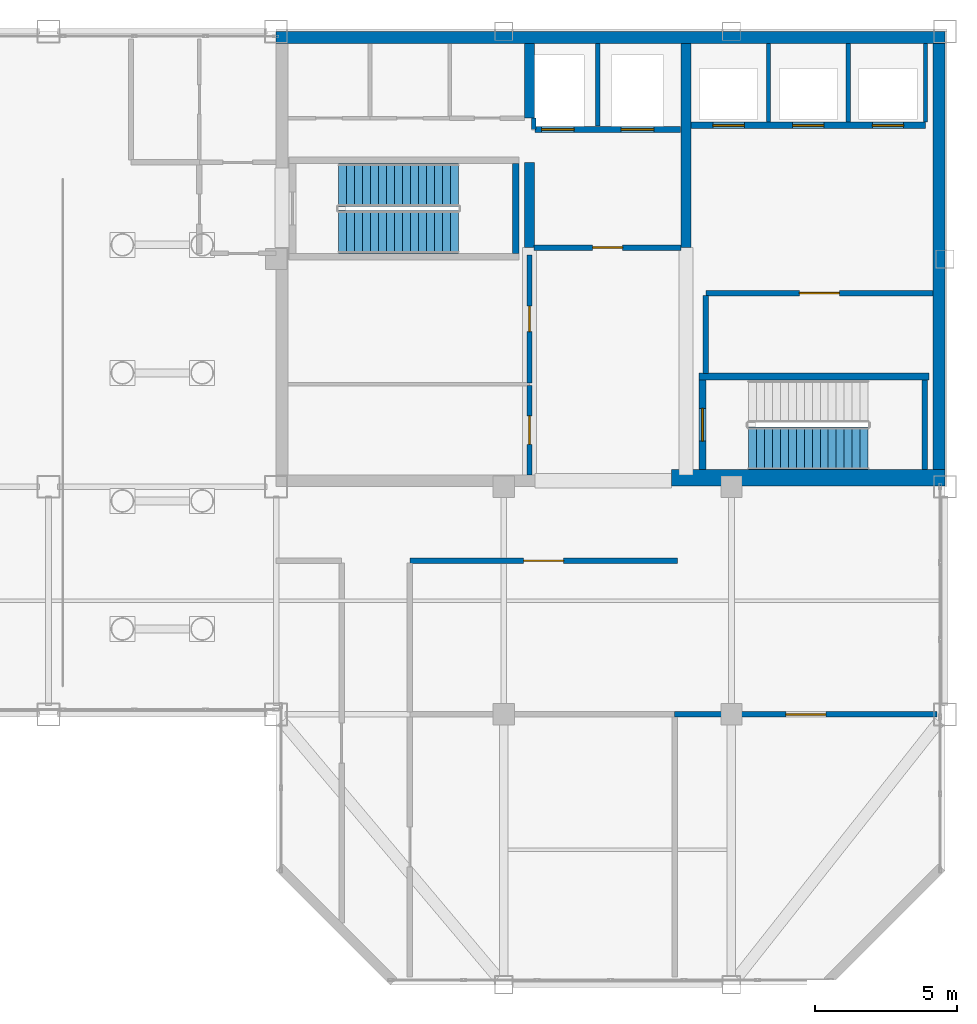
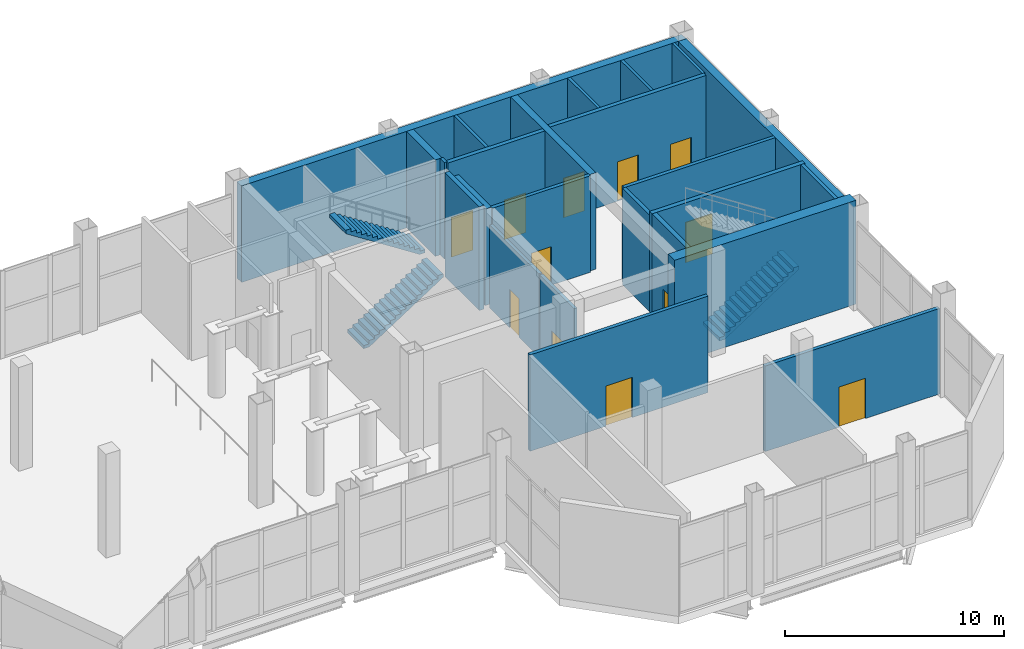
# One storey, part 15 of 18: 24 walls, 12 doors, 3 stair flights, 12 openings, 2 elements without a shape of their own.
"""IFC4 building model written with IfcOpenShell, lengths in metres."""

from ifc_helpers import new_model, si_unit, direction, frame, frame_2d, origin, place, context, subcontext, project, spatial, polyline, rectangle, outline, extrude, material, layer, layer_set, type_object, element, fill, aggregate, save


model = new_model("IFC4")

# Units and contexts
model_context = context("Model", 3, precision=1e-05, world=origin(), true_north=direction((0.0, 1.0)))
body_context = subcontext(model_context, "Body", "Model", "MODEL_VIEW")
ifc_project = project(units=[si_unit("LENGTHUNIT", "METRE"), si_unit("AREAUNIT", "SQUARE_METRE"), si_unit("VOLUMEUNIT", "CUBIC_METRE"), si_unit("PLANEANGLEUNIT", "RADIAN"), si_unit("MASSUNIT", "GRAM", prefix="KILO")], contexts=[model_context])

# Site, building, storey
site_placement = place(None, origin())
site = spatial("IfcSite", under=ifc_project, at=site_placement, CompositionType="ELEMENT")
building_placement = place(site_placement, origin())
building = spatial("IfcBuilding", under=site, at=building_placement, Name="Qianrong Seaharbour Tower", CompositionType="ELEMENT")
storey_placement = place(building_placement, frame((0.0, 0.0, 367.199951171875)))
storey = spatial("IfcBuildingStorey", under=building, at=storey_placement, Name="L89", CompositionType="ELEMENT", Elevation=367.199951171875)

# Walls
ifc_material_1 = material(Name="Concrete C50/60", Category="concrete")
ifc_layer_1 = layer(ifc_material_1, 0.419921875)
ifc_layer_set_1 = layer_set([ifc_layer_1], Name="Concrete C50/60")
wall_type_1 = type_object("IfcWallType", Name="WALL-CORE-420", PredefinedType="SHEAR", material=ifc_layer_set_1)
wall_1_placement = place(storey_placement, frame((40.5, 51.7900390625, 0.0), z_axis=(0.0, 0.0, 1.0), x_axis=(1.0, 0.0, 0.0)))
element("IfcWall", 1, at=wall_1_placement, inside=storey, type_object=wall_type_1, Name="L89 North Core Shear Wall", PredefinedType="SHEAR", context=body_context, shape_type="SweptSolid", body=[
    extrude(rectangle(XDim=23.5, YDim=0.419921875, at=frame_2d((11.75, 0.0))), origin(), (0.0, 0.0, 1.0), 5.39013671875),
])
wall_2_placement = place(storey_placement, frame((63.7900390625, 36.320068359375, 0.0), z_axis=(0.0, 0.0, 1.0), x_axis=(0.0, 1.0, 0.0)))
element("IfcWall", 2, at=wall_2_placement, inside=storey, type_object=wall_type_1, Name="L89 East Core Shear Wall", PredefinedType="SHEAR", context=body_context, shape_type="SweptSolid", body=[
    extrude(rectangle(XDim=15.260009765625, YDim=0.419921875, at=frame_2d((7.6298828125, 0.0))), origin(), (0.0, 0.0, 1.0), 5.39013671875),
])
ifc_material_2 = material(Name="Concrete C70/85", Category="concrete")
ifc_layer_2 = layer(ifc_material_2, 0.580078125)
ifc_layer_set_2 = layer_set([ifc_layer_2], Name="Concrete C70/85")
wall_type_2 = type_object("IfcWallType", Name="WALL-CORE-580", PredefinedType="SHEAR", material=ifc_layer_set_2)
wall_3_placement = place(storey_placement, frame((54.39990234375, 36.320068359375, 0.0), z_axis=(0.0, 0.0, 1.0), x_axis=(1.0, 0.0, 0.0)))
element("IfcWall", 3, at=wall_3_placement, inside=storey, type_object=wall_type_2, Name="L89 South Core Shear Wall S3", PredefinedType="SHEAR", context=body_context, shape_type="SweptSolid", body=[
    extrude(rectangle(XDim=9.60009765625, YDim=0.580078125, at=frame_2d((4.800048828125, 0.0))), origin(), (0.0, 0.0, 1.0), 5.800048828125),
])
ifc_layer_3 = layer(ifc_material_1, 0.35009765625)
ifc_layer_set_3 = layer_set([ifc_layer_3], Name="Concrete C50/60")
wall_type_3 = type_object("IfcWallType", Name="WALL-CORE-INT-350", PredefinedType="SHEAR", material=ifc_layer_set_3)
wall_4_placement = place(storey_placement, frame((49.39990234375, 44.39990234375, 0.0), z_axis=(0.0, 0.0, 1.0), x_axis=(0.0, 1.0, 0.0)))
element("IfcWall", 4, at=wall_4_placement, inside=storey, type_object=wall_type_3, Name="L89 Internal Core Shear Wall IW1N1", PredefinedType="SHEAR", context=body_context, shape_type="SweptSolid", body=[
    extrude(rectangle(XDim=3.0, YDim=0.35009765625, at=frame_2d((1.5, 0.0))), origin(), (0.0, 0.0, 1.0), 5.39013671875),
])
wall_5_placement = place(storey_placement, frame((49.39990234375, 48.949951171875, 0.0), z_axis=(0.0, 0.0, 1.0), x_axis=(0.0, 1.0, 0.0)))
element("IfcWall", 5, at=wall_5_placement, inside=storey, type_object=wall_type_3, Name="L89 Internal Core Shear Wall IW1N2", PredefinedType="SHEAR", context=body_context, shape_type="SweptSolid", body=[
    extrude(rectangle(XDim=2.630126953125, YDim=0.35009765625, at=frame_2d((1.31494140625, 0.0))), origin(), (0.0, 0.0, 1.0), 5.39013671875),
])
wall_6_placement = place(storey_placement, frame((54.89990234375, 44.39990234375, 0.0), z_axis=(0.0, 0.0, 1.0), x_axis=(0.0, 1.0, 0.0)))
element("IfcWall", 6, at=wall_6_placement, inside=storey, type_object=wall_type_3, Name="L89 Internal Core Shear Wall IW2N", PredefinedType="SHEAR", context=body_context, shape_type="SweptSolid", body=[
    extrude(rectangle(XDim=7.18017578125, YDim=0.35009765625, at=frame_2d((3.590087890625, 0.0))), origin(), (0.0, 0.0, 1.0), 5.39013671875),
])

# Wall, opening, door
ifc_material_3 = material(Name="Fire-rated acoustic gypsum board partition")
ifc_layer_4 = layer(ifc_material_3, 0.1650390625)
ifc_layer_set_4 = layer_set([ifc_layer_4], Name="Fire-rated acoustic gypsum board partition")
wall_type_4 = type_object("IfcWallType", Name="WALL-CORR-PART-165", PredefinedType="PARTITIONING", material=ifc_layer_set_4)
wall_7_placement = place(storey_placement, frame((49.39990234375, 36.419921875, 0.0), z_axis=(0.0, 0.0, 1.0), x_axis=(0.0, 1.0, 0.0)))
wall_7 = element("IfcWall", 7, at=wall_7_placement, inside=storey, type_object=wall_type_4, Name="L89 Interior Partition Wall 011", PredefinedType="PARTITIONING", context=body_context, shape_type="SweptSolid", body=[
    extrude(rectangle(XDim=3.133056640625, YDim=0.1650390625, at=frame_2d((1.56640625, 0.0))), origin(), (0.0, 0.0, 1.0), 4.632080078125),
])
opening_1_placement = place(wall_7_placement, frame((1.06640625, 0.0, 0.0)))
opening_1 = element("IfcOpeningElement", 8, at=opening_1_placement, cuts=wall_7, Name="Opening DO-01", PredefinedType="OPENING", context=body_context, shape_type="SweptSolid", body=[
    extrude(rectangle(XDim=1.0, YDim=2.14990234375, at=frame_2d((0.5, 1.074951171875))), frame((0.0, 0.092529296875, 0.0), z_axis=(0.0, -1.0, 0.0), x_axis=(1.0, 0.0, 0.0)), (0.0, 0.0, 1.0), 0.18505859375),
])
ifc_material_4 = material(Name="Acoustic timber and galvanized steel fire door assembly", Category="steel")
door_type_1 = type_object("IfcDoorType", Name="DOOR-OFFICE-1000x2150", OperationType="NOTDEFINED", PredefinedType="DOOR", material=ifc_material_4)
door_1_placement = place(opening_1_placement, origin())
door_1 = element("IfcDoor", 9, at=door_1_placement, inside=storey, type_object=door_type_1, Name="L89 Wellness Room Door", OperationType="SINGLE_SWING_RIGHT", OverallHeight=2.14990234375, OverallWidth=1.0, PredefinedType="DOOR", context=body_context, shape_type="SweptSolid", body=[
    extrude(rectangle(XDim=1.0, YDim=2.14990234375, at=frame_2d((0.5, 1.074951171875))), frame((0.0, 0.02490234375, 0.0), z_axis=(0.0, -1.0, 0.0), x_axis=(1.0, 0.0, 0.0)), (0.0, 0.0, 1.0), 0.050048828125),
])
fill(opening_1, door_1)

wall_8_placement = place(storey_placement, frame((49.39990234375, 39.64697265625, 0.0), z_axis=(0.0, 0.0, 1.0), x_axis=(0.0, 1.0, 0.0)))
wall_8 = element("IfcWall", 10, at=wall_8_placement, inside=storey, type_object=wall_type_4, Name="L89 Interior Partition Wall 012", PredefinedType="PARTITIONING", context=body_context, shape_type="SweptSolid", body=[
    extrude(rectangle(XDim=4.5029296875, YDim=0.1650390625, at=frame_2d((2.25146484375, 0.0))), origin(), (0.0, 0.0, 1.0), 4.632080078125),
])
opening_2_placement = place(wall_8_placement, frame((1.801513671875, 0.0, 0.0)))
opening_2 = element("IfcOpeningElement", 11, at=opening_2_placement, cuts=wall_8, Name="Opening DS-01", PredefinedType="OPENING", context=body_context, shape_type="SweptSolid", body=[
    extrude(rectangle(XDim=0.89990234375, YDim=2.14990234375, at=frame_2d((0.449951171875, 1.074951171875))), frame((0.0, 0.092529296875, 0.0), z_axis=(0.0, -1.0, 0.0), x_axis=(1.0, 0.0, 0.0)), (0.0, 0.0, 1.0), 0.18505859375),
])
door_type_2 = type_object("IfcDoorType", Name="DOOR-STORE-900x2150", OperationType="NOTDEFINED", PredefinedType="DOOR", material=ifc_material_4)
door_2_placement = place(opening_2_placement, origin())
door_2 = element("IfcDoor", 12, at=door_2_placement, inside=storey, type_object=door_type_2, Name="L89 Equipment Store Room Door", OperationType="SINGLE_SWING_LEFT", OverallHeight=2.14990234375, OverallWidth=0.89990234375, PredefinedType="DOOR", context=body_context, shape_type="SweptSolid", body=[
    extrude(rectangle(XDim=0.89990234375, YDim=2.14990234375, at=frame_2d((0.449951171875, 1.074951171875))), frame((0.0, 0.02490234375, 0.0), z_axis=(0.0, -1.0, 0.0), x_axis=(1.0, 0.0, 0.0)), (0.0, 0.0, 1.0), 0.050048828125),
])
fill(opening_2, door_2)

ifc_material_5 = material(Name="Double fire-rated gypsum board acoustic partition")
ifc_layer_5 = layer(ifc_material_5, 0.18994140625)
ifc_layer_set_5 = layer_set([ifc_layer_5], Name="Double fire-rated gypsum board acoustic partition")
wall_type_5 = type_object("IfcWallType", Name="WALL-FIRE-PART-190", PredefinedType="PARTITIONING", material=ifc_layer_set_5)
wall_9_placement = place(storey_placement, frame((54.73291015625, 44.39990234375, 0.0), z_axis=(0.0, 0.0, 1.0), x_axis=(-1.0, 0.0, 0.0)))
wall_9 = element("IfcWall", 13, at=wall_9_placement, inside=storey, type_object=wall_type_5, Name="L89 Interior Partition Wall 010", PredefinedType="PARTITIONING", context=body_context, shape_type="SweptSolid", body=[
    extrude(rectangle(XDim=5.166015625, YDim=0.18994140625, at=frame_2d((2.5830078125, 0.0))), origin(), (0.0, 0.0, 1.0), 5.39013671875),
])
opening_3_placement = place(wall_9_placement, frame((2.05810546875, 0.0, 0.0)))
opening_3 = element("IfcOpeningElement", 14, at=opening_3_placement, cuts=wall_9, Name="Opening DC-01", PredefinedType="OPENING", context=body_context, shape_type="SweptSolid", body=[
    extrude(rectangle(XDim=1.050048828125, YDim=2.14990234375, at=frame_2d((0.52490234375, 1.074951171875))), frame((0.0, 0.10498046875, 0.0), z_axis=(0.0, -1.0, 0.0), x_axis=(1.0, 0.0, 0.0)), (0.0, 0.0, 1.0), 0.2099609375),
])
door_type_3 = type_object("IfcDoorType", Name="DOOR-CORR-FD60-1050x2150", OperationType="NOTDEFINED", PredefinedType="DOOR", material=ifc_material_4)
door_3_placement = place(opening_3_placement, origin())
door_3 = element("IfcDoor", 15, at=door_3_placement, inside=storey, type_object=door_type_3, Name="L89 Firefighting Lift Lobby Door", OperationType="SINGLE_SWING_RIGHT", OverallHeight=2.14990234375, OverallWidth=1.050048828125, PredefinedType="DOOR", context=body_context, shape_type="SweptSolid", body=[
    extrude(rectangle(XDim=1.050048828125, YDim=2.14990234375, at=frame_2d((0.52490234375, 1.074951171875))), frame((0.0, 0.02490234375, 0.0), z_axis=(0.0, -1.0, 0.0), x_axis=(1.0, 0.0, 0.0)), (0.0, 0.0, 1.0), 0.050048828125),
])
fill(opening_3, door_3)

# Wall
wall_10_placement = place(storey_placement, frame((55.60009765625, 42.712890625, 0.0), z_axis=(0.0, 0.0, 1.0), x_axis=(0.0, -1.0, 0.0)))
element("IfcWall", 16, at=wall_10_placement, inside=storey, type_object=wall_type_5, Name="L89 Interior Partition Wall 013", PredefinedType="PARTITIONING", context=body_context, shape_type="SweptSolid", body=[
    extrude(rectangle(XDim=2.73095703125, YDim=0.18994140625, at=frame_2d((1.365478515625, 0.0))), origin(), (0.0, 0.0, 1.0), 5.39013671875),
])

# Wall, opening, door
wall_11_placement = place(storey_placement, frame((63.580078125, 42.800048828125, 0.0), z_axis=(0.0, 0.0, 1.0), x_axis=(-1.0, 0.0, 0.0)))
wall_11 = element("IfcWall", 17, at=wall_11_placement, inside=storey, type_object=wall_type_5, Name="L89 Interior Partition Wall 015", PredefinedType="PARTITIONING", context=body_context, shape_type="SweptSolid", body=[
    extrude(rectangle(XDim=7.97998046875, YDim=0.18994140625, at=frame_2d((3.989990234375, 0.0))), origin(), (0.0, 0.0, 1.0), 5.39013671875),
])
opening_4_placement = place(wall_11_placement, frame((3.2900390625, 0.0, 0.0)))
opening_4 = element("IfcOpeningElement", 18, at=opening_4_placement, cuts=wall_11, Name="Opening DP-01", PredefinedType="OPENING", context=body_context, shape_type="SweptSolid", body=[
    extrude(rectangle(XDim=1.39990234375, YDim=2.25, at=frame_2d((0.699951171875, 1.125))), frame((0.0, 0.10498046875, 0.0), z_axis=(0.0, -1.0, 0.0), x_axis=(1.0, 0.0, 0.0)), (0.0, 0.0, 1.0), 0.2099609375),
])
door_type_4 = type_object("IfcDoorType", Name="DOOR-PLANT-PAIR-1400x2250", OperationType="DOUBLE_DOOR_SINGLE_SWING", PredefinedType="DOOR", material=ifc_material_4)
door_4_placement = place(opening_4_placement, origin())
door_4 = element("IfcDoor", 19, at=door_4_placement, inside=storey, type_object=door_type_4, Name="L89 Core Telecom Hub Room Door", OperationType="DOUBLE_DOOR_SINGLE_SWING", OverallHeight=2.25, OverallWidth=1.39990234375, PredefinedType="DOOR", context=body_context, shape_type="SweptSolid", body=[
    extrude(rectangle(XDim=1.39990234375, YDim=2.25, at=frame_2d((0.699951171875, 1.125))), frame((0.0, 0.02490234375, 0.0), z_axis=(0.0, -1.0, 0.0), x_axis=(1.0, 0.0, 0.0)), (0.0, 0.0, 1.0), 0.050048828125),
])
fill(opening_4, door_4)

wall_12_placement = place(storey_placement, frame((54.60009765625, 33.39990234375, 0.0), z_axis=(0.0, 0.0, 1.0), x_axis=(-1.0, 0.0, 0.0)))
wall_12 = element("IfcWall", 20, at=wall_12_placement, inside=storey, type_object=wall_type_5, Name="L89 Interior Partition Wall 018", PredefinedType="PARTITIONING", context=body_context, shape_type="SweptSolid", body=[
    extrude(rectangle(XDim=9.400146484375, YDim=0.18994140625, at=frame_2d((4.7001953125, 0.0))), origin(), (0.0, 0.0, 1.0), 5.39013671875),
])
opening_5_placement = place(wall_12_placement, frame((4.0, 0.0, 0.0)))
opening_5 = element("IfcOpeningElement", 21, at=opening_5_placement, cuts=wall_12, Name="Opening DP-01", PredefinedType="OPENING", context=body_context, shape_type="SweptSolid", body=[
    extrude(rectangle(XDim=1.39990234375, YDim=2.25, at=frame_2d((0.699951171875, 1.125))), frame((0.0, 0.10498046875, 0.0), z_axis=(0.0, -1.0, 0.0), x_axis=(1.0, 0.0, 0.0)), (0.0, 0.0, 1.0), 0.2099609375),
])
door_5_placement = place(opening_5_placement, origin())
door_5 = element("IfcDoor", 22, at=door_5_placement, inside=storey, type_object=door_type_4, Name="L89 Electrical Substation Door", OperationType="DOUBLE_DOOR_SINGLE_SWING", OverallHeight=2.25, OverallWidth=1.39990234375, PredefinedType="DOOR", context=body_context, shape_type="SweptSolid", body=[
    extrude(rectangle(XDim=1.39990234375, YDim=2.25, at=frame_2d((0.699951171875, 1.125))), frame((0.0, 0.02490234375, 0.0), z_axis=(0.0, -1.0, 0.0), x_axis=(1.0, 0.0, 0.0)), (0.0, 0.0, 1.0), 0.050048828125),
])
fill(opening_5, door_5)

wall_13_placement = place(storey_placement, frame((63.72802734375, 28.0, 0.0), z_axis=(0.0, 0.0, 1.0), x_axis=(-1.0, 0.0, 0.0)))
wall_13 = element("IfcWall", 23, at=wall_13_placement, inside=storey, type_object=wall_type_5, Name="L89 Interior Partition Wall 024", PredefinedType="PARTITIONING", context=body_context, shape_type="SweptSolid", body=[
    extrude(rectangle(XDim=9.22802734375, YDim=0.18994140625, at=frame_2d((4.614013671875, 0.0))), origin(), (0.0, 0.0, 1.0), 4.781982421875),
])
opening_6_placement = place(wall_13_placement, frame((3.9140625, 0.0, 0.0)))
opening_6 = element("IfcOpeningElement", 24, at=opening_6_placement, cuts=wall_13, Name="Opening DP-01", PredefinedType="OPENING", context=body_context, shape_type="SweptSolid", body=[
    extrude(rectangle(XDim=1.39990234375, YDim=2.25, at=frame_2d((0.699951171875, 1.125))), frame((0.0, 0.10498046875, 0.0), z_axis=(0.0, -1.0, 0.0), x_axis=(1.0, 0.0, 0.0)), (0.0, 0.0, 1.0), 0.2099609375),
])
door_6_placement = place(opening_6_placement, origin())
door_6 = element("IfcDoor", 25, at=door_6_placement, inside=storey, type_object=door_type_4, Name="L89 Fire Water Tank Room Door", OperationType="DOUBLE_DOOR_SINGLE_SWING", OverallHeight=2.25, OverallWidth=1.39990234375, PredefinedType="DOOR", context=body_context, shape_type="SweptSolid", body=[
    extrude(rectangle(XDim=1.39990234375, YDim=2.25, at=frame_2d((0.699951171875, 1.125))), frame((0.0, 0.02490234375, 0.0), z_axis=(0.0, -1.0, 0.0), x_axis=(1.0, 0.0, 0.0)), (0.0, 0.0, 1.0), 0.050048828125),
])
fill(opening_6, door_6)

# Walls
ifc_material_6 = material(Name="Fire-rated gypsum board on steel studs", Category="steel")
ifc_layer_6 = layer(ifc_material_6, 0.14990234375)
ifc_layer_set_6 = layer_set([ifc_layer_6], Name="Fire-rated gypsum board on steel studs")
wall_type_6 = type_object("IfcWallType", Name="WALL-SHAFT-DIV-150", PredefinedType="PARTITIONING", material=ifc_layer_set_6)
wall_14_placement = place(storey_placement, frame((51.800048828125, 48.669921875, 0.0), z_axis=(0.0, 0.0, 1.0), x_axis=(0.0, 1.0, 0.0)))
element("IfcWall", 26, at=wall_14_placement, inside=storey, type_object=wall_type_6, Name="L89 Firefighting Lift Shaft Divider Wall", PredefinedType="PARTITIONING", context=body_context, shape_type="SweptSolid", body=[
    extrude(rectangle(XDim=2.91015625, YDim=0.14990234375, at=frame_2d((1.455078125, 0.0))), origin(), (0.0, 0.0, 1.0), 5.39013671875),
])
wall_15_placement = place(storey_placement, frame((49.550048828125, 48.550048828125, 0.0), z_axis=(0.0, 0.0, 1.0), x_axis=(0.0, 1.0, 0.0)))
element("IfcWall", 27, at=wall_15_placement, inside=storey, type_object=wall_type_6, Name="L89 Firefighting Lift Shaft West Return Wall", PredefinedType="PARTITIONING", context=body_context, shape_type="SweptSolid", body=[
    extrude(rectangle(XDim=0.39990234375, YDim=0.14990234375, at=frame_2d((0.199951171875, 0.0))), origin(), (0.0, 0.0, 1.0), 5.39013671875),
])
for number, where, z_axis, x_axis, name in (
    (28, (57.800048828125, 48.81005859375, 0.0), (0.0, 0.0, 1.0), (0.0, 1.0, 0.0), "L89 P4 Lift Hoistway Divider 2"),
    (29, (60.60009765625, 48.81005859375, 0.0), (0.0, 0.0, 1.0), (0.0, 1.0, 0.0), "L89 P4 Lift Hoistway Divider 3"),
    (30, (63.320068359375, 48.81005859375, 0.0), (0.0, 0.0, 1.0), (0.0, 1.0, 0.0), "L89 P4 Lift Hoistway Divider 4"),
):
    element("IfcWall", number, at=place(storey_placement, frame(where, z_axis=z_axis, x_axis=x_axis)), inside=storey, type_object=wall_type_6, Name=name, PredefinedType="PARTITIONING", context=body_context, shape_type="SweptSolid", body=[
        extrude(rectangle(XDim=2.77001953125, YDim=0.14990234375, at=frame_2d((1.385009765625, 0.0))), origin(), (0.0, 0.0, 1.0), 5.39013671875),
    ])

# Wall, openings, doors
ifc_layer_7 = layer(ifc_material_6, 0.219970703125)
ifc_layer_set_7 = layer_set([ifc_layer_7], Name="Fire-rated gypsum board on steel studs")
wall_type_7 = type_object("IfcWallType", Name="WALL-SHAFT-GYP220", PredefinedType="PARTITIONING", material=ifc_layer_set_7)
wall_16_placement = place(storey_placement, frame((54.7099609375, 48.550048828125, 0.0), z_axis=(0.0, 0.0, 1.0), x_axis=(-1.0, 0.0, 0.0)))
wall_16 = element("IfcWall", 31, at=wall_16_placement, inside=storey, type_object=wall_type_7, Name="L89 Firefighting Lift Shaft Front Wall", PredefinedType="PARTITIONING", context=body_context, shape_type="SweptSolid", body=[
    extrude(rectangle(XDim=5.119873046875, YDim=0.219970703125, at=frame_2d((2.56005859375, 0.0))), origin(), (0.0, 0.0, 1.0), 5.39013671875),
])
opening_7_placement = place(wall_16_placement, frame((3.735107421875, 0.0, 0.0)))
opening_7 = element("IfcOpeningElement", 32, at=opening_7_placement, cuts=wall_16, Name="Opening LD-01", PredefinedType="OPENING", context=body_context, shape_type="SweptSolid", body=[
    extrude(rectangle(XDim=1.14990234375, YDim=2.199951171875, at=frame_2d((0.574951171875, 1.10009765625))), frame((0.0, 0.1201171875, 0.0), z_axis=(0.0, -1.0, 0.0), x_axis=(1.0, 0.0, 0.0)), (0.0, 0.0, 1.0), 0.239990234375),
])
opening_8_placement = place(wall_16_placement, frame((0.93505859375, 0.0, 0.0)))
opening_8 = element("IfcOpeningElement", 33, at=opening_8_placement, cuts=wall_16, Name="Opening LD-01", PredefinedType="OPENING", context=body_context, shape_type="SweptSolid", body=[
    extrude(rectangle(XDim=1.14990234375, YDim=2.199951171875, at=frame_2d((0.574951171875, 1.10009765625))), frame((0.0, 0.1201171875, 0.0), z_axis=(0.0, -1.0, 0.0), x_axis=(1.0, 0.0, 0.0)), (0.0, 0.0, 1.0), 0.239990234375),
])
ifc_material_7 = material(Name="Stainless steel SUS316L bi-parting lift landing door", Category="steel")
door_type_5 = type_object("IfcDoorType", Name="DOOR-LIFT-FF-1150x2200", OperationType="DOUBLE_DOOR_SLIDING", PredefinedType="DOOR", material=ifc_material_7)
door_7_placement = place(opening_7_placement, origin())
door_7 = element("IfcDoor", 34, at=door_7_placement, inside=storey, type_object=door_type_5, Name="L89 FL-1 Firefighting Lift Landing Door", OperationType="DOUBLE_DOOR_SLIDING", OverallHeight=2.199951171875, OverallWidth=1.14990234375, PredefinedType="DOOR", context=body_context, shape_type="SweptSolid", body=[
    extrude(rectangle(XDim=1.14990234375, YDim=2.199951171875, at=frame_2d((0.574951171875, 1.10009765625))), frame((0.0, 0.02490234375, 0.0), z_axis=(0.0, -1.0, 0.0), x_axis=(1.0, 0.0, 0.0)), (0.0, 0.0, 1.0), 0.050048828125),
])
fill(opening_7, door_7)
door_8_placement = place(opening_8_placement, origin())
door_8 = element("IfcDoor", 35, at=door_8_placement, inside=storey, type_object=door_type_5, Name="L89 FL-2 Firefighting Lift Landing Door", OperationType="DOUBLE_DOOR_SLIDING", OverallHeight=2.199951171875, OverallWidth=1.14990234375, PredefinedType="DOOR", context=body_context, shape_type="SweptSolid", body=[
    extrude(rectangle(XDim=1.14990234375, YDim=2.199951171875, at=frame_2d((0.574951171875, 1.10009765625))), frame((0.0, 0.02490234375, 0.0), z_axis=(0.0, -1.0, 0.0), x_axis=(1.0, 0.0, 0.0)), (0.0, 0.0, 1.0), 0.050048828125),
])
fill(opening_8, door_8)

wall_17_placement = place(storey_placement, frame((63.320068359375, 48.699951171875, 0.0), z_axis=(0.0, 0.0, 1.0), x_axis=(-1.0, 0.0, 0.0)))
wall_17 = element("IfcWall", 36, at=wall_17_placement, inside=storey, type_object=wall_type_7, Name="L89 P4 Lift Hoistway Front Wall", PredefinedType="PARTITIONING", context=body_context, shape_type="SweptSolid", body=[
    extrude(rectangle(XDim=8.239990234375, YDim=0.219970703125, at=frame_2d((4.1201171875, 0.0))), origin(), (0.0, 0.0, 1.0), 5.39013671875),
])
opening_9_placement = place(wall_17_placement, frame((6.3701171875, 0.0, 0.0)))
opening_9 = element("IfcOpeningElement", 37, at=opening_9_placement, cuts=wall_17, Name="Opening LD-02", PredefinedType="OPENING", context=body_context, shape_type="SweptSolid", body=[
    extrude(rectangle(XDim=1.10009765625, YDim=2.199951171875, at=frame_2d((0.550048828125, 1.10009765625))), frame((0.0, 0.1201171875, 0.0), z_axis=(0.0, -1.0, 0.0), x_axis=(1.0, 0.0, 0.0)), (0.0, 0.0, 1.0), 0.239990234375),
])
opening_10_placement = place(wall_17_placement, frame((3.570068359375, 0.0, 0.0)))
opening_10 = element("IfcOpeningElement", 38, at=opening_10_placement, cuts=wall_17, Name="Opening LD-02", PredefinedType="OPENING", context=body_context, shape_type="SweptSolid", body=[
    extrude(rectangle(XDim=1.10009765625, YDim=2.199951171875, at=frame_2d((0.550048828125, 1.10009765625))), frame((0.0, 0.1201171875, 0.0), z_axis=(0.0, -1.0, 0.0), x_axis=(1.0, 0.0, 0.0)), (0.0, 0.0, 1.0), 0.239990234375),
])
opening_11_placement = place(wall_17_placement, frame((0.77001953125, 0.0, 0.0)))
opening_11 = element("IfcOpeningElement", 39, at=opening_11_placement, cuts=wall_17, Name="Opening LD-02", PredefinedType="OPENING", context=body_context, shape_type="SweptSolid", body=[
    extrude(rectangle(XDim=1.10009765625, YDim=2.199951171875, at=frame_2d((0.550048828125, 1.10009765625))), frame((0.0, 0.1201171875, 0.0), z_axis=(0.0, -1.0, 0.0), x_axis=(1.0, 0.0, 0.0)), (0.0, 0.0, 1.0), 0.239990234375),
])
door_type_6 = type_object("IfcDoorType", Name="DOOR-LIFT-PASS-1100x2200", OperationType="DOUBLE_DOOR_SLIDING", PredefinedType="DOOR", material=ifc_material_7)
door_9_placement = place(opening_9_placement, origin())
door_9 = element("IfcDoor", 40, at=door_9_placement, inside=storey, type_object=door_type_6, Name="L89 PL-4A Lift Landing Door", OperationType="DOUBLE_DOOR_SLIDING", OverallHeight=2.199951171875, OverallWidth=1.10009765625, PredefinedType="DOOR", context=body_context, shape_type="SweptSolid", body=[
    extrude(rectangle(XDim=1.10009765625, YDim=2.199951171875, at=frame_2d((0.550048828125, 1.10009765625))), frame((0.0, 0.02490234375, 0.0), z_axis=(0.0, -1.0, 0.0), x_axis=(1.0, 0.0, 0.0)), (0.0, 0.0, 1.0), 0.050048828125),
])
fill(opening_9, door_9)
door_10_placement = place(opening_10_placement, origin())
door_10 = element("IfcDoor", 41, at=door_10_placement, inside=storey, type_object=door_type_6, Name="L89 PL-4B Lift Landing Door", OperationType="DOUBLE_DOOR_SLIDING", OverallHeight=2.199951171875, OverallWidth=1.10009765625, PredefinedType="DOOR", context=body_context, shape_type="SweptSolid", body=[
    extrude(rectangle(XDim=1.10009765625, YDim=2.199951171875, at=frame_2d((0.550048828125, 1.10009765625))), frame((0.0, 0.02490234375, 0.0), z_axis=(0.0, -1.0, 0.0), x_axis=(1.0, 0.0, 0.0)), (0.0, 0.0, 1.0), 0.050048828125),
])
fill(opening_10, door_10)
door_11_placement = place(opening_11_placement, origin())
door_11 = element("IfcDoor", 42, at=door_11_placement, inside=storey, type_object=door_type_6, Name="L89 PL-4C Lift Landing Door", OperationType="DOUBLE_DOOR_SLIDING", OverallHeight=2.199951171875, OverallWidth=1.10009765625, PredefinedType="DOOR", context=body_context, shape_type="SweptSolid", body=[
    extrude(rectangle(XDim=1.10009765625, YDim=2.199951171875, at=frame_2d((0.550048828125, 1.10009765625))), frame((0.0, 0.02490234375, 0.0), z_axis=(0.0, -1.0, 0.0), x_axis=(1.0, 0.0, 0.0)), (0.0, 0.0, 1.0), 0.050048828125),
])
fill(opening_11, door_11)

# Walls
ifc_layer_8 = layer(ifc_material_1, 0.239990234375)
ifc_layer_set_8 = layer_set([ifc_layer_8], Name="Concrete C50/60")
wall_type_8 = type_object("IfcWallType", Name="WALL-SHAFT-RC240", PredefinedType="SOLIDWALL", material=ifc_layer_set_8)
wall_18_placement = place(storey_placement, frame((48.919921875, 44.199951171875, 0.0), z_axis=(0.0, 0.0, 1.0), x_axis=(0.0, 1.0, 0.0)))
element("IfcWall", 43, at=wall_18_placement, inside=storey, type_object=wall_type_8, Name="L89 ST-1 Structural Stair Core Wall E", PredefinedType="SOLIDWALL", context=body_context, shape_type="SweptSolid", body=[
    extrude(rectangle(XDim=3.150146484375, YDim=0.239990234375, at=frame_2d((1.5751953125, 0.0))), origin(), (0.0, 0.0, 1.0), 5.800048828125),
])
wall_19_placement = place(storey_placement, frame((55.360107421875, 39.8701171875, 0.0), z_axis=(0.0, 0.0, 1.0), x_axis=(1.0, 0.0, 0.0)))
element("IfcWall", 44, at=wall_19_placement, inside=storey, type_object=wall_type_8, Name="L89 ST-2 Structural Stair Core Wall N", PredefinedType="SOLIDWALL", context=body_context, shape_type="SweptSolid", body=[
    extrude(rectangle(XDim=8.079833984375, YDim=0.239990234375, at=frame_2d((4.0400390625, 0.0))), origin(), (0.0, 0.0, 1.0), 5.800048828125),
])

# Wall, opening, door
wall_20_placement = place(storey_placement, frame((55.47998046875, 39.75, 0.0), z_axis=(0.0, 0.0, 1.0), x_axis=(0.0, -1.0, 0.0)))
wall_20 = element("IfcWall", 45, at=wall_20_placement, inside=storey, type_object=wall_type_8, Name="L89 ST-2 Structural Stair Core Wall W", PredefinedType="SOLIDWALL", context=body_context, shape_type="SweptSolid", body=[
    extrude(rectangle(XDim=3.14990234375, YDim=0.239990234375, at=frame_2d((1.574951171875, 0.0))), origin(), (0.0, 0.0, 1.0), 5.800048828125),
])
opening_12_placement = place(wall_20_placement, frame((1.0, 0.0, 0.0)))
opening_12 = element("IfcOpeningElement", 46, at=opening_12_placement, cuts=wall_20, Name="Opening SD-01", PredefinedType="OPENING", context=body_context, shape_type="SweptSolid", body=[
    extrude(rectangle(XDim=1.14990234375, YDim=2.199951171875, at=frame_2d((0.574951171875, 1.10009765625))), frame((0.0, 0.1298828125, 0.0), z_axis=(0.0, -1.0, 0.0), x_axis=(1.0, 0.0, 0.0)), (0.0, 0.0, 1.0), 0.260009765625),
])
door_type_7 = type_object("IfcDoorType", Name="DOOR-STAIR-FD60-1150x2200", OperationType="NOTDEFINED", PredefinedType="DOOR", material=ifc_material_4)
door_12_placement = place(opening_12_placement, origin())
door_12 = element("IfcDoor", 47, at=door_12_placement, inside=storey, type_object=door_type_7, Name="L89 ST-2 Protected Stair Door", OperationType="SINGLE_SWING_RIGHT", OverallHeight=2.199951171875, OverallWidth=1.14990234375, PredefinedType="DOOR", context=body_context, shape_type="SweptSolid", body=[
    extrude(rectangle(XDim=1.14990234375, YDim=2.199951171875, at=frame_2d((0.574951171875, 1.10009765625))), frame((0.0, 0.02490234375, 0.0), z_axis=(0.0, -1.0, 0.0), x_axis=(1.0, 0.0, 0.0)), (0.0, 0.0, 1.0), 0.050048828125),
])
fill(opening_12, door_12)

# Wall
wall_21_placement = place(storey_placement, frame((63.2900390625, 36.60009765625, 0.0), z_axis=(0.0, 0.0, 1.0), x_axis=(0.0, 1.0, 0.0)))
element("IfcWall", 48, at=wall_21_placement, inside=storey, type_object=wall_type_8, Name="L89 ST-2 Structural Stair Core Wall E", PredefinedType="SOLIDWALL", context=body_context, shape_type="SweptSolid", body=[
    extrude(rectangle(XDim=3.14990234375, YDim=0.179931640625, at=frame_2d((1.574951171875, 0.0))), origin(), (0.0, 0.0, 1.0), 5.800048828125),
])

# Stair, stair flights
stair_type = type_object("IfcStairType", Name="STAIR-DOGLEG-1500-R32", PredefinedType="HALF_TURN_STAIR", material=ifc_material_1)
stair_1_placement = place(storey_placement, origin())
stair_1 = element("IfcStair", 49, at=stair_1_placement, inside=storey, type_object=stair_type, Name="L89 Protected Escape Stair ST-1", PredefinedType="HALF_TURN_STAIR")
stair_flight_type = type_object("IfcStairFlightType", Name="FLIGHT-STR-1500-R32", PredefinedType="STRAIGHT", material=ifc_material_1)
stair_flight_1_placement = place(storey_placement, frame((42.699951171875, 44.949951171875, 0.0), z_axis=(0.0, 0.0, 1.0), x_axis=(1.0, 0.0, 0.0)))
stair_flight_1 = element("IfcStairFlight", 50, at=stair_flight_1_placement, type_object=stair_flight_type, Name="ST-1 flight 1", NumberOfRisers=16, NumberOfTreads=15, PredefinedType="STRAIGHT", RiserHeight=0.18125, TreadLength=0.28, context=body_context, shape_type="SweptSolid", body=[
    extrude(outline(polyline([(0.0, 0.0), (0.0, 0.18115234375), (0.280029296875, 0.18115234375), (0.280029296875, 0.362548828125), (0.56005859375, 0.362548828125), (0.56005859375, 0.543701171875), (0.840087890625, 0.543701171875), (0.840087890625, 0.72509765625), (1.1201171875, 0.72509765625), (1.1201171875, 0.90625), (1.39990234375, 0.90625), (1.39990234375, 1.08740234375), (1.679931640625, 1.08740234375), (1.679931640625, 1.268798828125), (1.9599609375, 1.268798828125), (1.9599609375, 1.449951171875), (2.239990234375, 1.449951171875), (2.239990234375, 1.63134765625), (2.52001953125, 1.63134765625), (2.52001953125, 1.8125), (2.800048828125, 1.8125), (2.800048828125, 1.99365234375), (3.080078125, 1.99365234375), (3.080078125, 2.175048828125), (3.360107421875, 2.175048828125), (3.360107421875, 2.356201171875), (3.639892578125, 2.356201171875), (3.639892578125, 2.53759765625), (3.919921875, 2.53759765625), (3.919921875, 2.71875), (4.199951171875, 2.71875), (4.199951171875, 2.89990234375), (4.199951171875, 2.5283203125), (0.294189453125, 0.0), (0.0, 0.0)])), frame((0.0, 0.75, 0.0), z_axis=(0.0, -1.0, 0.0), x_axis=(1.0, 0.0, 0.0)), (0.0, 0.0, 1.0), 1.5),
])
stair_flight_2_placement = place(storey_placement, frame((46.89990234375, 46.60009765625, 2.900146484375), z_axis=(0.0, 0.0, 1.0), x_axis=(-1.0, 0.0, 0.0)))
stair_flight_2 = element("IfcStairFlight", 51, at=stair_flight_2_placement, type_object=stair_flight_type, Name="ST-1 flight 2", NumberOfRisers=16, NumberOfTreads=15, PredefinedType="STRAIGHT", RiserHeight=0.18125, TreadLength=0.28, context=body_context, shape_type="SweptSolid", body=[
    extrude(outline(polyline([(0.0, 0.0), (0.0, 0.18115234375), (0.280029296875, 0.18115234375), (0.280029296875, 0.362548828125), (0.56005859375, 0.362548828125), (0.56005859375, 0.543701171875), (0.840087890625, 0.543701171875), (0.840087890625, 0.72509765625), (1.1201171875, 0.72509765625), (1.1201171875, 0.90625), (1.39990234375, 0.90625), (1.39990234375, 1.08740234375), (1.679931640625, 1.08740234375), (1.679931640625, 1.268798828125), (1.9599609375, 1.268798828125), (1.9599609375, 1.449951171875), (2.239990234375, 1.449951171875), (2.239990234375, 1.63134765625), (2.52001953125, 1.63134765625), (2.52001953125, 1.8125), (2.800048828125, 1.8125), (2.800048828125, 1.99365234375), (3.080078125, 1.99365234375), (3.080078125, 2.175048828125), (3.360107421875, 2.175048828125), (3.360107421875, 2.356201171875), (3.639892578125, 2.356201171875), (3.639892578125, 2.53759765625), (3.919921875, 2.53759765625), (3.919921875, 2.71875), (4.199951171875, 2.71875), (4.199951171875, 2.89990234375), (4.199951171875, 2.5283203125), (0.294189453125, 0.0), (0.0, 0.0)])), frame((0.0, 0.75, 0.0), z_axis=(0.0, -1.0, 0.0), x_axis=(1.0, 0.0, 0.0)), (0.0, 0.0, 1.0), 1.5),
])
aggregate(stair_1, [stair_flight_1, stair_flight_2])

# Stair, stair flight
stair_2_placement = place(storey_placement, origin())
stair_2 = element("IfcStair", 52, at=stair_2_placement, inside=storey, type_object=stair_type, Name="L89 Protected Escape Stair ST-2", PredefinedType="HALF_TURN_STAIR")
stair_flight_3_placement = place(storey_placement, frame((57.10009765625, 37.35009765625, 0.0), z_axis=(0.0, 0.0, 1.0), x_axis=(1.0, 0.0, 0.0)))
stair_flight_3 = element("IfcStairFlight", 53, at=stair_flight_3_placement, type_object=stair_flight_type, Name="ST-2 flight 1", NumberOfRisers=16, NumberOfTreads=15, PredefinedType="STRAIGHT", RiserHeight=0.18125, TreadLength=0.28, context=body_context, shape_type="SweptSolid", body=[
    extrude(outline(polyline([(0.0, 0.0), (0.0, 0.18115234375), (0.280029296875, 0.18115234375), (0.280029296875, 0.362548828125), (0.56005859375, 0.362548828125), (0.56005859375, 0.543701171875), (0.840087890625, 0.543701171875), (0.840087890625, 0.72509765625), (1.1201171875, 0.72509765625), (1.1201171875, 0.90625), (1.39990234375, 0.90625), (1.39990234375, 1.08740234375), (1.679931640625, 1.08740234375), (1.679931640625, 1.268798828125), (1.9599609375, 1.268798828125), (1.9599609375, 1.449951171875), (2.239990234375, 1.449951171875), (2.239990234375, 1.63134765625), (2.52001953125, 1.63134765625), (2.52001953125, 1.8125), (2.800048828125, 1.8125), (2.800048828125, 1.99365234375), (3.080078125, 1.99365234375), (3.080078125, 2.175048828125), (3.360107421875, 2.175048828125), (3.360107421875, 2.356201171875), (3.639892578125, 2.356201171875), (3.639892578125, 2.53759765625), (3.919921875, 2.53759765625), (3.919921875, 2.71875), (4.199951171875, 2.71875), (4.199951171875, 2.89990234375), (4.199951171875, 2.5283203125), (0.294189453125, 0.0), (0.0, 0.0)])), frame((0.0, 0.75, 0.0), z_axis=(0.0, -1.0, 0.0), x_axis=(1.0, 0.0, 0.0)), (0.0, 0.0, 1.0), 1.5),
])
aggregate(stair_2, [stair_flight_3])

save(model, "model.ifc")
